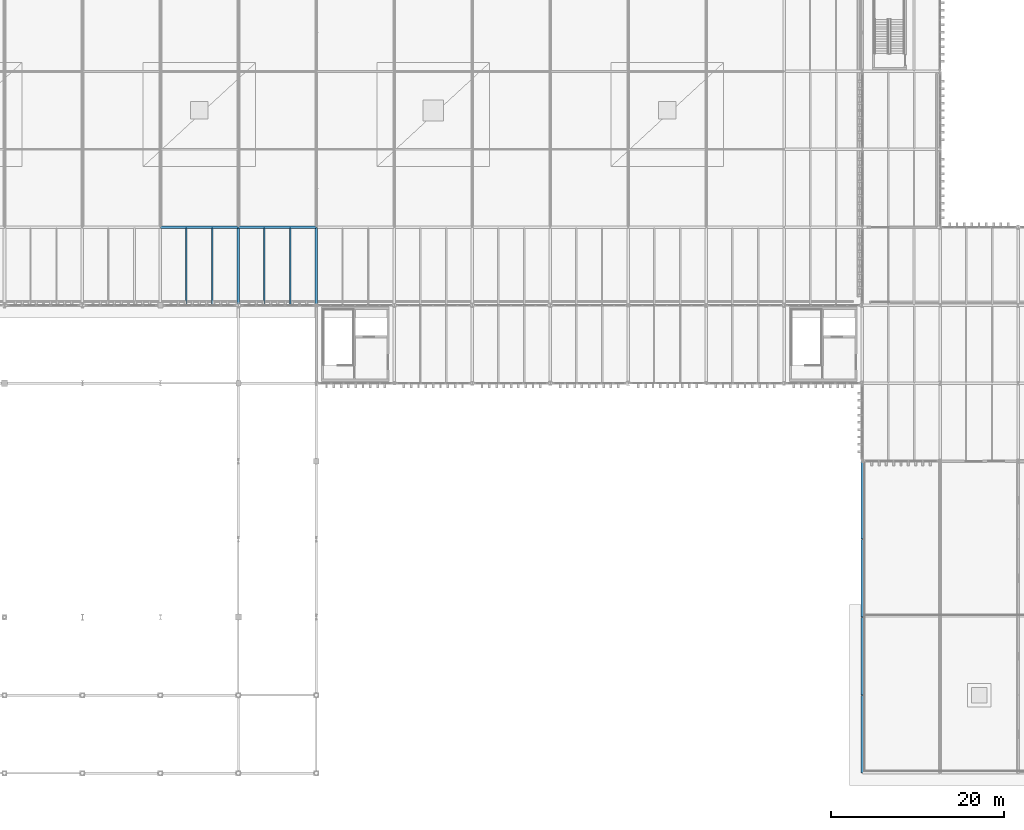
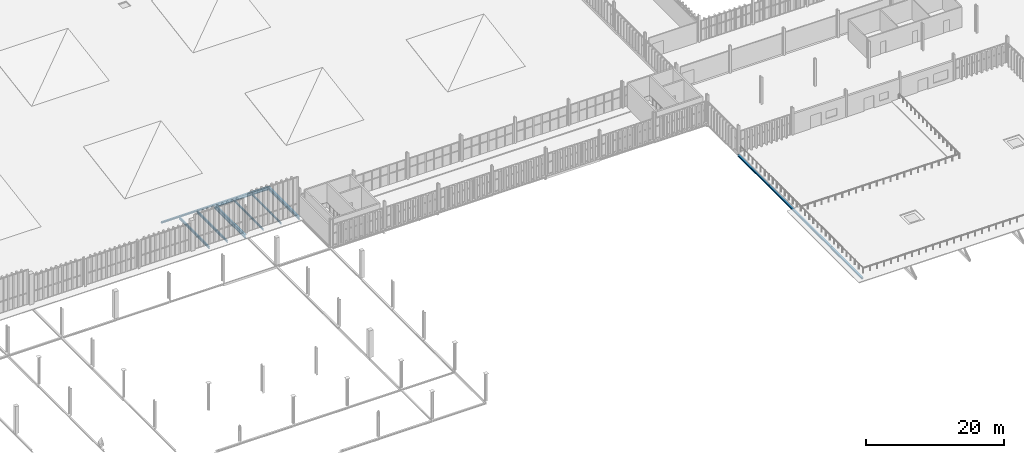
# One storey, part 26 of 196: 12 beams.
"""IFC4 building model written with IfcOpenShell, lengths in metres."""

from ifc_helpers import new_model, si_unit, direction, frame, origin, origin_2d, place, context, subcontext, project, spatial, i_section, extrude, material, material_profile, profile_set, type_object, element, save


model = new_model("IFC4")

# Units and contexts
model_context = context("Model", 3, precision=1e-05, world=origin(), true_north=direction((0.0, 1.0)))
body_context = subcontext(model_context, "Body", "Model", "MODEL_VIEW")
ifc_project = project(units=[si_unit("LENGTHUNIT", "METRE"), si_unit("AREAUNIT", "SQUARE_METRE"), si_unit("VOLUMEUNIT", "CUBIC_METRE"), si_unit("PLANEANGLEUNIT", "RADIAN"), si_unit("MASSUNIT", "GRAM", prefix="KILO")], contexts=[model_context])

# Site, building, storey
site_placement = place(None, origin())
site = spatial("IfcSite", under=ifc_project, at=site_placement, CompositionType="ELEMENT")
building_placement = place(site_placement, origin())
building = spatial("IfcBuilding", under=site, at=building_placement, Name="Barlavento Convention Centre", CompositionType="ELEMENT")
storey_placement = place(building_placement, frame((0.0, 0.0, 18.0)))
storey = spatial("IfcBuildingStorey", under=building, at=storey_placement, Name="L03", CompositionType="ELEMENT", Elevation=18.0)

# Beams
ifc_material = material(Name="Steel S355", Category="steel")
ifc_material_profile_1 = material_profile(ifc_material, i_section(OverallWidth=0.14990234375, OverallDepth=0.300048828125, WebThickness=0.007080078125, FlangeThickness=0.0107421875, FilletRadius=0.014892578125, at=origin_2d()), Name="IPE 300")
ifc_profile_set_1 = profile_set([ifc_material_profile_1], Name="Steel S355")
beam_type_1 = type_object("IfcBeamType", Name="STR-BM-JST-IPE300", PredefinedType="JOIST", material=ifc_profile_set_1)
beam_1_placement = place(storey_placement, frame((60.0, 54.094970703125, -0.4951171875), z_axis=(0.0, 1.0, 0.0), x_axis=(-1.0, 0.0, 0.0)))
element("IfcBeam", 1, at=beam_1_placement, inside=storey, type_object=beam_type_1, Name="L03 composite floor joist SJ07", PredefinedType="JOIST", context=body_context, shape_type="SweptSolid", body=[
    extrude(i_section(OverallWidth=0.14990234375, OverallDepth=0.300048828125, WebThickness=0.007080078125, FlangeThickness=0.0107421875, FilletRadius=0.014892578125, at=origin_2d()), origin(), (0.0, 0.0, 1.0), 8.81005859375),
])
ifc_material_profile_2 = material_profile(ifc_material, i_section(OverallWidth=0.159912109375, OverallDepth=0.330078125, WebThickness=0.007568359375, FlangeThickness=0.011474609375, FilletRadius=0.01806640625, at=origin_2d()), Name="IPE 330")
ifc_profile_set_2 = profile_set([ifc_material_profile_2], Name="Steel S355")
beam_type_2 = type_object("IfcBeamType", Name="STR-BM-JST-IPE330", PredefinedType="JOIST", material=ifc_profile_set_2)
beam_2_placement = place(storey_placement, frame((57.0, 54.094970703125, -0.510009765625), z_axis=(0.0, 1.0, 0.0), x_axis=(-1.0, 0.0, 0.0)))
element("IfcBeam", 2, at=beam_2_placement, inside=storey, type_object=beam_type_2, Name="L03 composite floor joist SJ06", PredefinedType="JOIST", context=body_context, shape_type="SweptSolid", body=[
    extrude(i_section(OverallWidth=0.159912109375, OverallDepth=0.330078125, WebThickness=0.007568359375, FlangeThickness=0.011474609375, FilletRadius=0.01806640625, at=origin_2d()), origin(), (0.0, 0.0, 1.0), 8.81005859375),
])
ifc_material_profile_3 = material_profile(ifc_material, i_section(OverallWidth=0.179931640625, OverallDepth=0.39990234375, WebThickness=0.008544921875, FlangeThickness=0.013427734375, FilletRadius=0.02099609375, at=origin_2d()), Name="IPE 400")
ifc_profile_set_3 = profile_set([ifc_material_profile_3], Name="Steel S355")
beam_type_3 = type_object("IfcBeamType", Name="STR-BM-JST-IPE400", PredefinedType="JOIST", material=ifc_profile_set_3)
beam_3_placement = place(storey_placement, frame((51.0, 54.094970703125, -0.544921875), z_axis=(0.0, 1.0, 0.0), x_axis=(-1.0, 0.0, 0.0)))
element("IfcBeam", 3, at=beam_3_placement, inside=storey, type_object=beam_type_3, Name="L03 composite floor joist SJ04", PredefinedType="JOIST", context=body_context, shape_type="SweptSolid", body=[
    extrude(i_section(OverallWidth=0.179931640625, OverallDepth=0.39990234375, WebThickness=0.008544921875, FlangeThickness=0.013427734375, FilletRadius=0.02099609375, at=origin_2d()), origin(), (0.0, 0.0, 1.0), 8.81005859375),
])
ifc_material_profile_4 = material_profile(ifc_material, i_section(OverallWidth=0.18994140625, OverallDepth=0.449951171875, WebThickness=0.009521484375, FlangeThickness=0.0146484375, FilletRadius=0.02099609375, at=origin_2d()), Name="IPE 450")
ifc_profile_set_4 = profile_set([ifc_material_profile_4], Name="Steel S355")
beam_type_4 = type_object("IfcBeamType", Name="STR-BM-JST-IPE450", PredefinedType="JOIST", material=ifc_profile_set_4)
beam_4_placement = place(storey_placement, frame((48.0, 54.094970703125, -0.570068359375), z_axis=(0.0, 1.0, 0.0), x_axis=(-1.0, 0.0, 0.0)))
element("IfcBeam", 4, at=beam_4_placement, inside=storey, type_object=beam_type_4, Name="L03 composite floor joist SJ03", PredefinedType="JOIST", context=body_context, shape_type="SweptSolid", body=[
    extrude(i_section(OverallWidth=0.18994140625, OverallDepth=0.449951171875, WebThickness=0.009521484375, FlangeThickness=0.0146484375, FilletRadius=0.02099609375, at=origin_2d()), origin(), (0.0, 0.0, 1.0), 8.81005859375),
])
ifc_material_profile_5 = material_profile(ifc_material, i_section(OverallWidth=0.300048828125, OverallDepth=0.489990234375, WebThickness=0.011962890625, FlangeThickness=0.02294921875, FilletRadius=0.027099609375, at=origin_2d()), Name="HEA 500")
ifc_profile_set_5 = profile_set([ifc_material_profile_5], Name="Steel S355")
beam_type_5 = type_object("IfcBeamType", Name="STR-BM-PRI-HEA500", PredefinedType="BEAM", material=ifc_profile_set_5)
beam_5_placement = place(storey_placement, frame((63.0, 54.02001953125, -0.590087890625), z_axis=(0.0, 1.0, 0.0), x_axis=(-1.0, 0.0, 0.0)))
element("IfcBeam", 5, at=beam_5_placement, inside=storey, type_object=beam_type_5, Name="L03 grid girder BG20", PredefinedType="BEAM", context=body_context, shape_type="SweptSolid", body=[
    extrude(i_section(OverallWidth=0.300048828125, OverallDepth=0.489990234375, WebThickness=0.011962890625, FlangeThickness=0.02294921875, FilletRadius=0.027099609375, at=origin_2d()), origin(), (0.0, 0.0, 1.0), 8.9599609375),
])
ifc_material_profile_6 = material_profile(ifc_material, i_section(OverallWidth=0.300048828125, OverallDepth=0.639892578125, WebThickness=0.013427734375, FlangeThickness=0.02587890625, FilletRadius=0.027099609375, at=origin_2d()), Name="HEA 650")
ifc_profile_set_6 = profile_set([ifc_material_profile_6], Name="Steel S355")
beam_type_6 = type_object("IfcBeamType", Name="STR-BM-PRI-HEA650", PredefinedType="BEAM", material=ifc_profile_set_6)
beam_6_placement = place(storey_placement, frame((54.0, 54.02001953125, -0.6650390625), z_axis=(0.0, 1.0, 0.0), x_axis=(-1.0, 0.0, 0.0)))
element("IfcBeam", 6, at=beam_6_placement, inside=storey, type_object=beam_type_6, Name="L03 grid girder BG17", PredefinedType="BEAM", context=body_context, shape_type="SweptSolid", body=[
    extrude(i_section(OverallWidth=0.300048828125, OverallDepth=0.639892578125, WebThickness=0.013427734375, FlangeThickness=0.02587890625, FilletRadius=0.027099609375, at=origin_2d()), origin(), (0.0, 0.0, 1.0), 8.9599609375),
])
ifc_material_profile_7 = material_profile(ifc_material, i_section(OverallWidth=0.260009765625, OverallDepth=0.260009765625, WebThickness=0.010009765625, FlangeThickness=0.017578125, FilletRadius=0.02392578125, at=origin_2d()), Name="HEB 260")
ifc_profile_set_7 = profile_set([ifc_material_profile_7], Name="Steel S355")
beam_type_7 = type_object("IfcBeamType", Name="STR-BM-PRI-HEB260", PredefinedType="BEAM", material=ifc_profile_set_7)
beam_7_placement = place(storey_placement, frame((45.02001953125, 63.0, -0.47509765625), z_axis=(1.0, 0.0, 0.0), x_axis=(0.0, 1.0, 0.0)))
element("IfcBeam", 7, at=beam_7_placement, inside=storey, type_object=beam_type_7, Name="L03 primary girder BG16", PredefinedType="BEAM", context=body_context, shape_type="SweptSolid", body=[
    extrude(i_section(OverallWidth=0.260009765625, OverallDepth=0.260009765625, WebThickness=0.010009765625, FlangeThickness=0.017578125, FilletRadius=0.02392578125, at=origin_2d()), origin(), (0.0, 0.0, 1.0), 8.9599609375),
])
ifc_material_profile_8 = material_profile(ifc_material, i_section(OverallWidth=0.300048828125, OverallDepth=0.550048828125, WebThickness=0.014892578125, FlangeThickness=0.029052734375, FilletRadius=0.027099609375, at=origin_2d()), Name="HEB 550")
ifc_profile_set_8 = profile_set([ifc_material_profile_8], Name="Steel S355")
beam_type_8 = type_object("IfcBeamType", Name="STR-BM-PRI-HEB550", PredefinedType="BEAM", material=ifc_profile_set_8)
beam_8_placement = place(storey_placement, frame((54.02001953125, 63.0, -0.6201171875), z_axis=(1.0, 0.0, 0.0), x_axis=(0.0, 1.0, 0.0)))
element("IfcBeam", 8, at=beam_8_placement, inside=storey, type_object=beam_type_8, Name="L03 primary girder BG08", PredefinedType="BEAM", context=body_context, shape_type="SweptSolid", body=[
    extrude(i_section(OverallWidth=0.300048828125, OverallDepth=0.550048828125, WebThickness=0.014892578125, FlangeThickness=0.029052734375, FilletRadius=0.027099609375, at=origin_2d()), origin(), (0.0, 0.0, 1.0), 8.9599609375),
])
ifc_material_profile_9 = material_profile(ifc_material, i_section(OverallWidth=0.280029296875, OverallDepth=0.27001953125, WebThickness=0.008056640625, FlangeThickness=0.012939453125, FilletRadius=0.02392578125, at=origin_2d()), Name="HEA 280")
ifc_profile_set_9 = profile_set([ifc_material_profile_9], Name="Steel S355")
beam_type_9 = type_object("IfcBeamType", Name="STR-BM-SPN-HEA280", PredefinedType="SPANDREL", material=ifc_profile_set_9)
beam_9_placement = place(storey_placement, frame((126.0, 27.02001953125, -0.52490234375), z_axis=(0.0, 1.0, 0.0), x_axis=(-1.0, 0.0, 0.0)))
element("IfcBeam", 9, at=beam_9_placement, inside=storey, type_object=beam_type_9, Name="L03 grid girder SP03", PredefinedType="SPANDREL", context=body_context, shape_type="SweptSolid", body=[
    extrude(i_section(OverallWidth=0.280029296875, OverallDepth=0.27001953125, WebThickness=0.008056640625, FlangeThickness=0.012939453125, FilletRadius=0.02392578125, at=origin_2d()), origin(), (0.0, 0.0, 1.0), 8.9599609375),
])
ifc_material_profile_10 = material_profile(ifc_material, i_section(OverallWidth=0.300048828125, OverallDepth=0.2900390625, WebThickness=0.008544921875, FlangeThickness=0.013916015625, FilletRadius=0.027099609375, at=origin_2d()), Name="HEA 300")
ifc_profile_set_10 = profile_set([ifc_material_profile_10], Name="Steel S355")
beam_type_10 = type_object("IfcBeamType", Name="STR-BM-SPN-HEA300", PredefinedType="SPANDREL", material=ifc_profile_set_10)
for number, where, z_axis, x_axis, name in (
    (10, (126.0, 9.02001953125, -0.489990234375), (0.0, 1.0, 0.0), (-1.0, 0.0, 0.0), "L03 grid girder SP02"),
    (11, (126.0, 18.02001953125, -0.489990234375), (0.0, 1.0, 0.0), (-1.0, 0.0, 0.0), "L03 grid girder SP02"),
):
    element("IfcBeam", number, at=place(storey_placement, frame(where, z_axis=z_axis, x_axis=x_axis)), inside=storey, type_object=beam_type_10, Name=name, PredefinedType="SPANDREL", context=body_context, shape_type="SweptSolid", body=[
        extrude(i_section(OverallWidth=0.300048828125, OverallDepth=0.2900390625, WebThickness=0.008544921875, FlangeThickness=0.013916015625, FilletRadius=0.027099609375, at=origin_2d()), origin(), (0.0, 0.0, 1.0), 8.9599609375),
    ])
ifc_material_profile_11 = material_profile(ifc_material, i_section(OverallWidth=0.300048828125, OverallDepth=0.31005859375, WebThickness=0.009033203125, FlangeThickness=0.015380859375, FilletRadius=0.027099609375, at=origin_2d()), Name="HEA 320")
ifc_profile_set_11 = profile_set([ifc_material_profile_11], Name="Steel S355")
beam_type_11 = type_object("IfcBeamType", Name="STR-BM-SPN-HEA320", PredefinedType="SPANDREL", material=ifc_profile_set_11)
beam_10_placement = place(storey_placement, frame((126.0, 0.02001953125, -0.5), z_axis=(0.0, 1.0, 0.0), x_axis=(-1.0, 0.0, 0.0)))
element("IfcBeam", 12, at=beam_10_placement, inside=storey, type_object=beam_type_11, Name="L03 grid girder SP01", PredefinedType="SPANDREL", context=body_context, shape_type="SweptSolid", body=[
    extrude(i_section(OverallWidth=0.300048828125, OverallDepth=0.31005859375, WebThickness=0.009033203125, FlangeThickness=0.015380859375, FilletRadius=0.027099609375, at=origin_2d()), origin(), (0.0, 0.0, 1.0), 8.9599609375),
])

save(model, "model.ifc")
